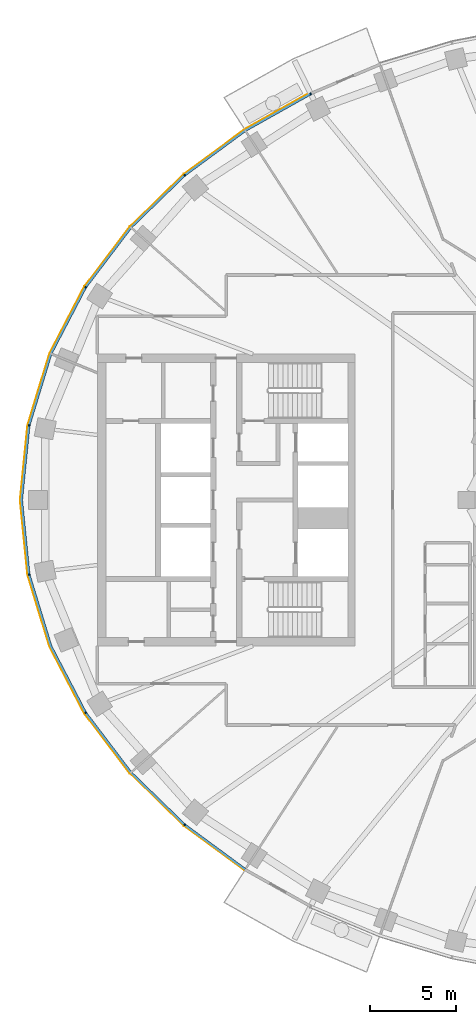
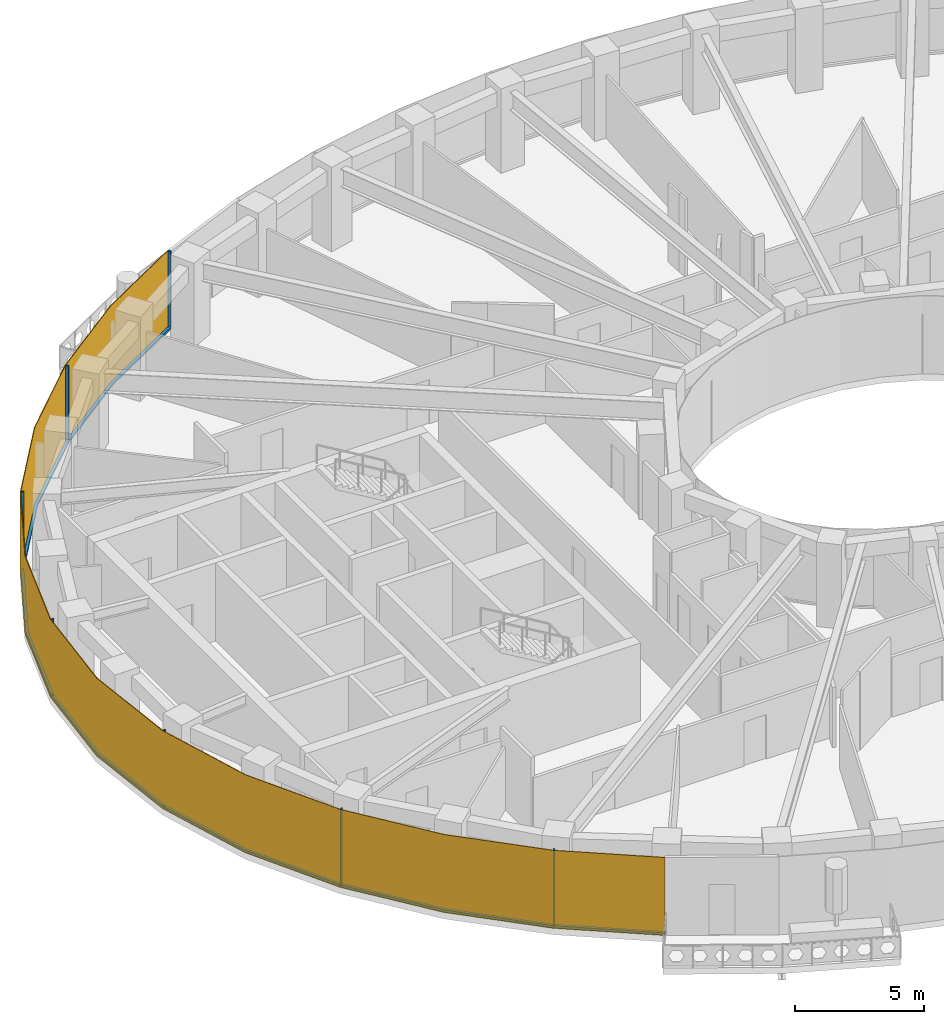
# One storey, part 8 of 15: 14 members, 1 curtain wall.
"""IFC4 building model written with IfcOpenShell, lengths in metres."""

import ifcopenshell
import ifcopenshell.guid

model = None  # the IFC model being written
_history = None  # IfcOwnerHistory: only IFC2X3 demands one
_inside = {}  # id of a spatial element -> (the spatial element, [elements in it])
_under = {}  # id of a project, library or spatial element -> (it, [spatial elements below it])
_declared = {}  # id of a project -> (the project, [libraries it declares])
_typed = {}  # id of a type object -> (the type object, [elements of that type])
_made_of = {}  # id of a material, layer set ... -> (it, [elements and type objects made of it])


def new_model(schema):
    """Start an empty IFC model of exactly this schema.

    Asked for "IFC4X3", IfcOpenShell would pick the latest addendum, in which some entities
    have other attributes; the version numbers below select the first issue.
    IFC2X3 requires an IfcOwnerHistory on every rooted entity: one is made here for all.
    """
    global model, _history
    if schema == "IFC4X3":
        model = ifcopenshell.file(schema_version=(4, 3, 0, 0))
    else:
        model = ifcopenshell.file(schema=schema)
    _inside.clear()
    _under.clear()
    _declared.clear()
    _typed.clear()
    _made_of.clear()
    _history = None
    if model.schema == "IFC2X3":
        org = make("IfcOrganization", Name="unknown")
        user = make(
            "IfcPersonAndOrganization",
            ThePerson=make("IfcPerson", FamilyName="unknown"),
            TheOrganization=org,
        )
        app = make(
            "IfcApplication",
            ApplicationDeveloper=org,
            Version="unknown",
            ApplicationFullName="unknown",
            ApplicationIdentifier="unknown",
        )
        _history = make(
            "IfcOwnerHistory",
            OwningUser=user,
            OwningApplication=app,
            ChangeAction="ADDED",
            CreationDate=0,
        )
    return model


def make(cls, **values):
    """One entity of the class cls with the attributes given. An attribute that is None is left unset."""
    return model.create_entity(
        cls, **{name: value for name, value in values.items() if value is not None}
    )


def rooted(cls, **values):
    """An entity with a GlobalId (a new one), such as an element, a storey or a relation."""
    return make(cls, GlobalId=ifcopenshell.guid.new(), OwnerHistory=_history, **values)


def si_unit(unit_type, name, prefix=None):
    """IfcSIUnit, for example si_unit("LENGTHUNIT", "METRE", prefix="MILLI")."""
    return make("IfcSIUnit", UnitType=unit_type, Prefix=prefix, Name=name)


def assignment(units):
    """IfcUnitAssignment: the units of a project."""
    return None if units is None else make("IfcUnitAssignment", Units=units)


def point(xyz):
    """IfcCartesianPoint."""
    return None if xyz is None else make("IfcCartesianPoint", Coordinates=xyz)


def direction(xyz):
    """IfcDirection."""
    return None if xyz is None else make("IfcDirection", DirectionRatios=xyz)


def frame(location, z_axis=None, x_axis=None):
    """IfcAxis2Placement3D, a coordinate frame: its origin and axes. An axis left out is left unset."""
    return make(
        "IfcAxis2Placement3D",
        Location=point(location),
        Axis=direction(z_axis),
        RefDirection=direction(x_axis),
    )


def frame_2d(location, x_axis=None):
    """IfcAxis2Placement2D, a coordinate frame in the plane: its origin and x axis."""
    return make(
        "IfcAxis2Placement2D", Location=point(location), RefDirection=direction(x_axis)
    )


def origin():
    """The frame at (0, 0, 0) with its axes left unset."""
    return frame((0.0, 0.0, 0.0))


def origin_2d():
    """The frame at (0, 0) in the plane with its x axis left unset."""
    return frame_2d((0.0, 0.0))


def place(relative_to, where):
    """IfcLocalPlacement: puts the frame where relative to a parent placement (None: the world)."""
    return make(
        "IfcLocalPlacement", PlacementRelTo=relative_to, RelativePlacement=where
    )


def context(
    kind, dimensions, precision=None, world=None, true_north=None, identifier=None
):
    """IfcGeometricRepresentationContext, for example the 3D "Model" context."""
    return make(
        "IfcGeometricRepresentationContext",
        ContextIdentifier=identifier,
        ContextType=kind,
        CoordinateSpaceDimension=dimensions,
        Precision=precision,
        WorldCoordinateSystem=world,
        TrueNorth=true_north,
    )


def subcontext(parent, identifier, kind, view, scale=None):
    """IfcGeometricRepresentationSubContext, for example "Body" below "Model"."""
    return make(
        "IfcGeometricRepresentationSubContext",
        ContextIdentifier=identifier,
        ContextType=kind,
        ParentContext=parent,
        TargetScale=scale,
        TargetView=view,
    )


def project(units=None, contexts=None):
    """IfcProject with its units and contexts."""
    return rooted(
        "IfcProject",
        Name="project",
        RepresentationContexts=contexts,
        UnitsInContext=assignment(units),
    )


def spatial(cls, under=None, at=None, **own):
    """A site, building, storey or space (cls), placed at a placement, below another one or the project."""
    s = rooted(cls, ObjectPlacement=at, **own)
    if under is not None:
        _under.setdefault(under.id(), (under, []))[1].append(s)
    return s


def polyline(points):
    """IfcPolyline through the points."""
    return make("IfcPolyline", Points=[point(p) for p in points])


def profile(cls, at=None, kind="AREA", **sizes):
    """A parametric profile (cls). Its sizes go by their IFC names, for example OverallWidth=200.0."""
    return make(cls, ProfileType=kind, Position=at, **sizes)


def rectangle(**sizes):
    """IfcRectangleProfileDef."""
    return profile("IfcRectangleProfileDef", **sizes)


def outline(outer, holes=None, kind="AREA"):
    """IfcArbitraryClosedProfileDef: a profile drawn as a closed curve; with holes, ...WithVoids."""
    if holes is None:
        return make("IfcArbitraryClosedProfileDef", ProfileType=kind, OuterCurve=outer)
    return make(
        "IfcArbitraryProfileDefWithVoids",
        ProfileType=kind,
        OuterCurve=outer,
        InnerCurves=holes,
    )


def extrude(swept, where, along, depth):
    """IfcExtrudedAreaSolid: the profile swept, set in the frame where, extruded along a direction by depth."""
    return make(
        "IfcExtrudedAreaSolid",
        SweptArea=swept,
        Position=where,
        ExtrudedDirection=direction(along),
        Depth=depth,
    )


def shape(context_of_items, identifier, shape_type, items):
    """IfcShapeRepresentation: the items that make up one representation, for example the "Body"."""
    return make(
        "IfcShapeRepresentation",
        ContextOfItems=context_of_items,
        RepresentationIdentifier=identifier,
        RepresentationType=shape_type,
        Items=items,
    )


def material(Name=None, Category=None):
    """IfcMaterial."""
    return make("IfcMaterial", Name=Name, Category=Category)


def layer(
    of_material, thickness, ventilated=None, Name=None, Category=None, Priority=None
):
    """IfcMaterialLayer: one layer of a wall or slab, of a material (None: an air gap)."""
    return make(
        "IfcMaterialLayer",
        Material=of_material,
        LayerThickness=thickness,
        IsVentilated=ventilated,
        Name=Name,
        Category=Category,
        Priority=Priority,
    )


def layer_set(layers, Name=None):
    """IfcMaterialLayerSet."""
    return make("IfcMaterialLayerSet", MaterialLayers=layers, LayerSetName=Name)


def material_profile(
    of_material, cross_section, Name=None, Category=None, Priority=None
):
    """IfcMaterialProfile: a cross section and its material."""
    return make(
        "IfcMaterialProfile",
        Name=Name,
        Material=of_material,
        Profile=cross_section,
        Priority=Priority,
        Category=Category,
    )


def profile_set(profiles, Name=None, composite=None):
    """IfcMaterialProfileSet."""
    return make(
        "IfcMaterialProfileSet",
        Name=Name,
        MaterialProfiles=profiles,
        CompositeProfile=composite,
    )


def made_of(thing, what):
    """Note that an element or type object is made of a material, layer set ...; save() writes the relation."""
    if what is not None:
        _made_of.setdefault(what.id(), (what, []))[1].append(thing)
    return thing


def type_object(cls, material=None, **own):
    """A type object (cls), such as IfcWallType, which elements share."""
    return made_of(rooted(cls, **own), material)


def element(
    cls,
    number,
    at=None,
    inside=None,
    cuts=None,
    type_object=None,
    material=None,
    context=None,
    identifier="Body",
    shape_type=None,
    held_by="IfcProductDefinitionShape",
    body=None,
    shapes=None,
    **own,
):
    """One element of the class cls, such as IfcWall. Its Tag is "e" and its number.

    at: its placement. inside: the storey or other place that contains it. cuts: it is an
    opening in that element (IfcRelVoidsElement). A single representation is given by context,
    identifier, shape_type and body (its items); several are given by shapes. held_by: the class
    of the entity that holds the representations. save() writes the other relations.
    """
    e = rooted(cls, Tag="e%d" % number, ObjectPlacement=at, **own)
    if body is not None:
        shapes = [shape(context, identifier, shape_type, body)]
    if shapes is not None:
        e.Representation = make(held_by, Representations=shapes)
    if inside is not None:
        _inside.setdefault(inside.id(), (inside, []))[1].append(e)
    if cuts is not None:
        rooted(
            "IfcRelVoidsElement", RelatingBuildingElement=cuts, RelatedOpeningElement=e
        )
    if type_object is not None:
        _typed.setdefault(type_object.id(), (type_object, []))[1].append(e)
    return made_of(e, material)


def aggregate(whole, parts):
    """IfcRelAggregates: a whole, such as a stair, and the parts it consists of."""
    return rooted("IfcRelAggregates", RelatingObject=whole, RelatedObjects=parts)


def save(model, path):
    """Write the relations noted so far, then the file.

    IfcRelAggregates (storeys below a building ...), IfcRelContainedInSpatialStructure (elements
    in a storey), IfcRelDefinesByType, IfcRelAssociatesMaterial and IfcRelDeclares: one each for
    every whole, place, type object, material and project.
    """
    for whole, parts in _under.values():
        aggregate(whole, parts)
    for where, things in _inside.values():
        rooted(
            "IfcRelContainedInSpatialStructure",
            RelatedElements=things,
            RelatingStructure=where,
        )
    for kind, things in _typed.values():
        rooted("IfcRelDefinesByType", RelatedObjects=things, RelatingType=kind)
    for what, things in _made_of.values():
        rooted("IfcRelAssociatesMaterial", RelatedObjects=things, RelatingMaterial=what)
    for by, libraries in _declared.values():
        rooted("IfcRelDeclares", RelatingContext=by, RelatedDefinitions=libraries)
    model.write(path)


model = new_model("IFC4")

# Units and contexts
model_context = context("Model", 3, precision=1e-05, world=origin(), true_north=direction((0.0, 1.0)))
body_context = subcontext(model_context, "Body", "Model", "MODEL_VIEW")
ifc_project = project(units=[si_unit("LENGTHUNIT", "METRE"), si_unit("AREAUNIT", "SQUARE_METRE"), si_unit("VOLUMEUNIT", "CUBIC_METRE"), si_unit("PLANEANGLEUNIT", "RADIAN"), si_unit("MASSUNIT", "GRAM", prefix="KILO")], contexts=[model_context])

# Member
ifc_material_1 = material(Name="Aluminium 6063-T6 black anodised", Category="aluminium")
ifc_material_profile = material_profile(ifc_material_1, rectangle(XDim=0.1201171875, YDim=0.06005859375, at=origin_2d()), Name="120x60")
ifc_profile_set = profile_set([ifc_material_profile], Name="Aluminium 6063-T6 black anodised")
member_type_1 = type_object("IfcMemberType", Name="ENV-MULLION-A-120", PredefinedType="MULLION", material=ifc_profile_set)
site_placement = place(None, origin())
building_placement = place(site_placement, origin())
storey_placement = place(building_placement, frame((0.0, 0.0, 241.5)))
member_1_placement = place(storey_placement, frame((-19.06787109375, 23.6474609375, 0.0), z_axis=(0.0, 0.0, 1.0), x_axis=(0.439237769837, -0.898370848563, 0.0)))
member_1 = element("IfcMember", 1, at=member_1_placement, type_object=member_type_1, Name="Mullion A radial 17", PredefinedType="MULLION", context=body_context, shape_type="SweptSolid", body=[
    extrude(rectangle(XDim=0.1201171875, YDim=0.06005859375, at=origin_2d()), origin(), (0.0, 0.0, 1.0), 3.699951171875),
])

member_2_placement = place(storey_placement, frame((-26.403564453125, 18.9130859375, 0.0), z_axis=(0.0, 0.0, 1.0), x_axis=(0.646451313783, -0.762955240435, 0.0)))
member_2 = element("IfcMember", 2, at=member_2_placement, type_object=member_type_1, Name="Mullion A radial 19", PredefinedType="MULLION", context=body_context, shape_type="SweptSolid", body=[
    extrude(rectangle(XDim=0.1201171875, YDim=0.06005859375, at=origin_2d()), origin(), (0.0, 0.0, 1.0), 3.699951171875),
])

member_3_placement = place(storey_placement, frame((-32.177490234375, 12.385498046875, 0.0), z_axis=(0.0, 0.0, 1.0), x_axis=(0.844829880882, -0.53503501976, 0.0)))
member_3 = element("IfcMember", 3, at=member_3_placement, type_object=member_type_1, Name="Mullion A radial 21", PredefinedType="MULLION", context=body_context, shape_type="SweptSolid", body=[
    extrude(rectangle(XDim=0.1201171875, YDim=0.06005859375, at=origin_2d()), origin(), (0.0, 0.0, 1.0), 3.699951171875),
])

member_4_placement = place(storey_placement, frame((-35.470947265625, 4.340576171875, 0.0), z_axis=(0.0, 0.0, 1.0), x_axis=(0.980379083141, -0.19712141776, 0.0)))
member_4 = element("IfcMember", 4, at=member_4_placement, type_object=member_type_1, Name="Mullion A radial 23", PredefinedType="MULLION", context=body_context, shape_type="SweptSolid", body=[
    extrude(rectangle(XDim=0.1201171875, YDim=0.06005859375, at=origin_2d()), origin(), (0.0, 0.0, 1.0), 3.699951171875),
])

member_5_placement = place(storey_placement, frame((-35.470947265625, -4.340576171875, 0.0), z_axis=(0.0, 0.0, 1.0), x_axis=(0.980379083141, 0.19712141776, 0.0)))
member_5 = element("IfcMember", 5, at=member_5_placement, type_object=member_type_1, Name="Mullion A radial 25", PredefinedType="MULLION", context=body_context, shape_type="SweptSolid", body=[
    extrude(rectangle(XDim=0.1201171875, YDim=0.06005859375, at=origin_2d()), origin(), (0.0, 0.0, 1.0), 3.699951171875),
])

member_6_placement = place(storey_placement, frame((-32.177490234375, -12.385498046875, 0.0), z_axis=(0.0, 0.0, 1.0), x_axis=(0.844829880882, 0.53503501976, 0.0)))
member_6 = element("IfcMember", 6, at=member_6_placement, type_object=member_type_1, Name="Mullion A radial 27", PredefinedType="MULLION", context=body_context, shape_type="SweptSolid", body=[
    extrude(rectangle(XDim=0.1201171875, YDim=0.06005859375, at=origin_2d()), origin(), (0.0, 0.0, 1.0), 3.699951171875),
])

member_7_placement = place(storey_placement, frame((-26.403564453125, -18.9130859375, 0.0), z_axis=(0.0, 0.0, 1.0), x_axis=(0.646451313783, 0.762955240435, 0.0)))
member_7 = element("IfcMember", 7, at=member_7_placement, type_object=member_type_1, Name="Mullion A radial 29", PredefinedType="MULLION", context=body_context, shape_type="SweptSolid", body=[
    extrude(rectangle(XDim=0.1201171875, YDim=0.06005859375, at=origin_2d()), origin(), (0.0, 0.0, 1.0), 3.699951171875),
])

ifc_material_2 = material(Name="Aluminium 6063-T6 black anodised", Category="aluminium")
member_type_2 = type_object("IfcMemberType", Name="ENV-TRANSOM-A", PredefinedType="USERDEFINED", material=ifc_material_2)
member_8_placement = place(storey_placement, origin())
member_8 = element("IfcMember", 8, at=member_8_placement, type_object=member_type_2, Name="Transom A radial 17-19", ObjectType="TRANSOM", PredefinedType="USERDEFINED", context=body_context, shape_type="SweptSolid", body=[
    extrude(outline(polyline([(-19.11865234375, 23.687744140625), (-22.9150390625, 21.556884765625), (-26.419921875, 18.975341796875), (-26.342041015625, 18.883544921875), (-22.85009765625, 21.455810546875), (-19.06591796875, 23.57958984375), (-19.11865234375, 23.687744140625)])), origin(), (0.0, 0.0, 1.0), 0.10009765625),
])

member_9_placement = place(storey_placement, origin())
member_9 = element("IfcMember", 9, at=member_9_placement, type_object=member_type_2, Name="Transom A radial 19-21", ObjectType="TRANSOM", PredefinedType="USERDEFINED", context=body_context, shape_type="SweptSolid", body=[
    extrude(outline(polyline([(-26.46240234375, 18.939208984375), (-29.58349609375, 15.906982421875), (-32.211181640625, 12.43994140625), (-32.109375, 12.37548828125), (-29.493408203125, 15.8271484375), (-26.384765625, 18.847412109375), (-26.46240234375, 18.939208984375)])), origin(), (0.0, 0.0, 1.0), 0.10009765625),
])

member_10_placement = place(storey_placement, origin())
member_10 = element("IfcMember", 10, at=member_10_placement, type_object=member_type_2, Name="Transom A radial 21-23", ObjectType="TRANSOM", PredefinedType="USERDEFINED", context=body_context, shape_type="SweptSolid", body=[
    extrude(outline(polyline([(-32.240966796875, 12.392578125), (-34.251220703125, 8.53662109375), (-35.521484375, 4.379150390625), (-35.4033203125, 4.355224609375), (-34.139892578125, 8.490966796875), (-32.139404296875, 12.328369140625), (-32.240966796875, 12.392578125)])), origin(), (0.0, 0.0, 1.0), 0.10009765625),
])

member_11_placement = place(storey_placement, origin())
member_11 = element("IfcMember", 11, at=member_11_placement, type_object=member_type_2, Name="Transom A radial 23-25", ObjectType="TRANSOM", PredefinedType="USERDEFINED", context=body_context, shape_type="SweptSolid", body=[
    extrude(outline(polyline([(-35.532470703125, 4.324462890625), (-35.9677734375, 0.0), (-35.532470703125, -4.324462890625), (-35.414306640625, -4.30078125), (-35.84716796875, 0.0), (-35.414306640625, 4.30078125), (-35.532470703125, 4.324462890625)])), origin(), (0.0, 0.0, 1.0), 0.10009765625),
])

member_12_placement = place(storey_placement, origin())
member_12 = element("IfcMember", 12, at=member_12_placement, type_object=member_type_2, Name="Transom A radial 25-27", ObjectType="TRANSOM", PredefinedType="USERDEFINED", context=body_context, shape_type="SweptSolid", body=[
    extrude(outline(polyline([(-35.521484375, -4.379150390625), (-34.251220703125, -8.53662109375), (-32.240966796875, -12.392578125), (-32.139404296875, -12.328369140625), (-34.139892578125, -8.490966796875), (-35.4033203125, -4.355224609375), (-35.521484375, -4.379150390625)])), origin(), (0.0, 0.0, 1.0), 0.10009765625),
])

member_13_placement = place(storey_placement, origin())
member_13 = element("IfcMember", 13, at=member_13_placement, type_object=member_type_2, Name="Transom A radial 27-29", ObjectType="TRANSOM", PredefinedType="USERDEFINED", context=body_context, shape_type="SweptSolid", body=[
    extrude(outline(polyline([(-32.211181640625, -12.43994140625), (-29.58349609375, -15.906982421875), (-26.46240234375, -18.939208984375), (-26.384765625, -18.847412109375), (-29.493408203125, -15.8271484375), (-32.109375, -12.37548828125), (-32.211181640625, -12.43994140625)])), origin(), (0.0, 0.0, 1.0), 0.10009765625),
])

member_14_placement = place(storey_placement, origin())
member_14 = element("IfcMember", 14, at=member_14_placement, type_object=member_type_2, Name="Transom A radial 29-30", ObjectType="TRANSOM", PredefinedType="USERDEFINED", context=body_context, shape_type="SweptSolid", body=[
    extrude(outline(polyline([(-26.419921875, -18.975341796875), (-22.931396484375, -21.544921875), (-22.8662109375, -21.444091796875), (-26.342041015625, -18.883544921875), (-26.419921875, -18.975341796875)])), origin(), (0.0, 0.0, 1.0), 0.10009765625),
])

# Site, building, storey
site = spatial("IfcSite", under=ifc_project, at=site_placement, CompositionType="ELEMENT")
building = spatial("IfcBuilding", under=site, at=building_placement, Name="Noorbagh Ring Tower", CompositionType="ELEMENT")
storey = spatial("IfcBuildingStorey", under=building, at=storey_placement, Name="L50", CompositionType="ELEMENT", Elevation=241.5)

# Curtain wall
ifc_material_3 = material(Name="Glass dark tinted laminated", Category="glass")
ifc_layer = layer(ifc_material_3, 0.031982421875)
ifc_layer_set = layer_set([ifc_layer], Name="Glass dark tinted laminated")
curtain_wall_type = type_object("IfcCurtainWallType", Name="ENV-CW-A", PredefinedType="NOTDEFINED", material=ifc_layer_set)
curtain_wall_placement = place(storey_placement, origin())
curtain_wall = element("IfcCurtainWall", 15, at=curtain_wall_placement, inside=storey, type_object=curtain_wall_type, Name="Curtain wall A R17", PredefinedType="NOTDEFINED", context=body_context, shape_type="SweptSolid", body=[
    extrude(outline(polyline([(-19.125732421875, 23.720458984375), (-22.9326171875, 21.583740234375), (-26.463134765625, 18.9833984375), (-29.607666015625, 15.927978515625), (-32.255126953125, 12.434814453125), (-34.281005859375, 8.548828125), (-35.561279296875, 4.358642578125), (-36.0, 0.0), (-35.561279296875, -4.358642578125), (-34.281005859375, -8.548828125), (-32.255126953125, -12.434814453125), (-29.607666015625, -15.927978515625), (-26.463134765625, -18.9833984375), (-22.948486328125, -21.572021484375), (-22.931396484375, -21.544921875), (-26.4423828125, -18.958740234375), (-29.58349609375, -15.906982421875), (-32.22802734375, -12.41748046875), (-34.251220703125, -8.53662109375), (-35.529541015625, -4.352294921875), (-35.9677734375, 0.0), (-35.529541015625, 4.352294921875), (-34.251220703125, 8.53662109375), (-32.22802734375, 12.41748046875), (-29.58349609375, 15.906982421875), (-26.4423828125, 18.958740234375), (-22.9150390625, 21.556884765625), (-19.111572265625, 23.691650390625), (-19.125732421875, 23.720458984375)])), origin(), (0.0, 0.0, 1.0), 3.699951171875),
])

aggregate(curtain_wall, [member_1, member_2, member_3, member_4, member_5, member_6, member_7, member_8, member_9, member_10, member_11, member_12, member_13, member_14])

save(model, "model.ifc")
